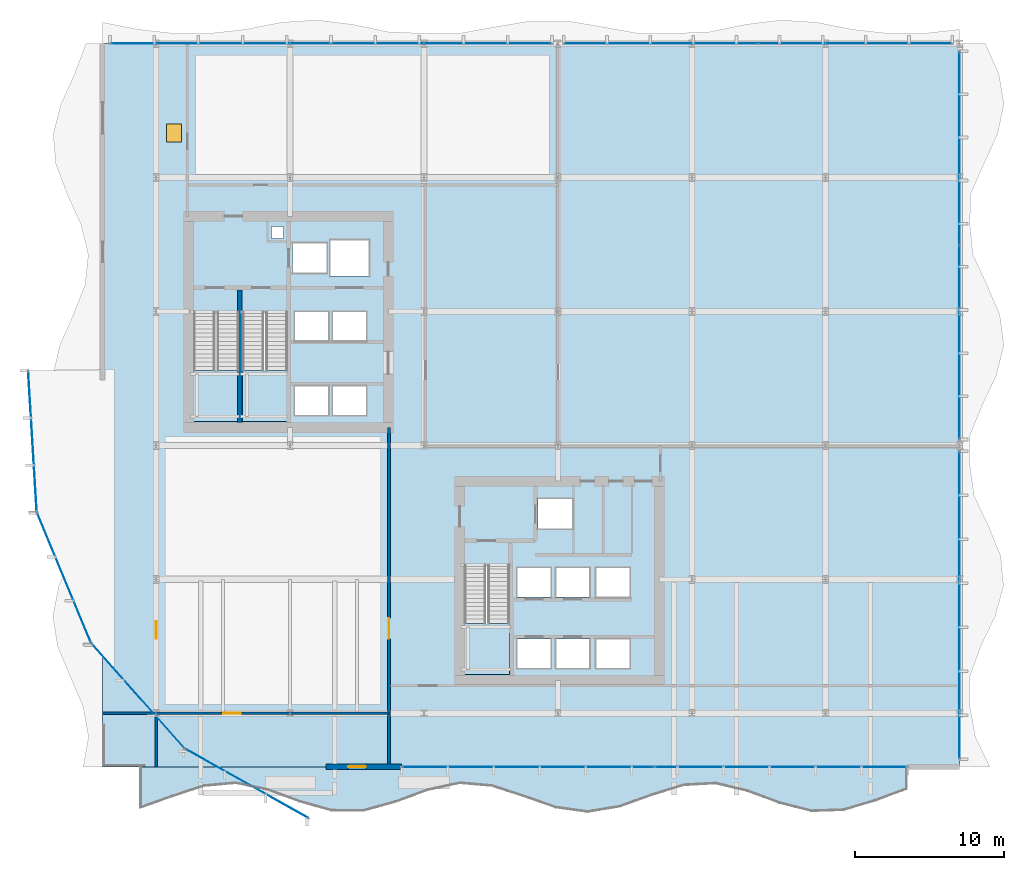
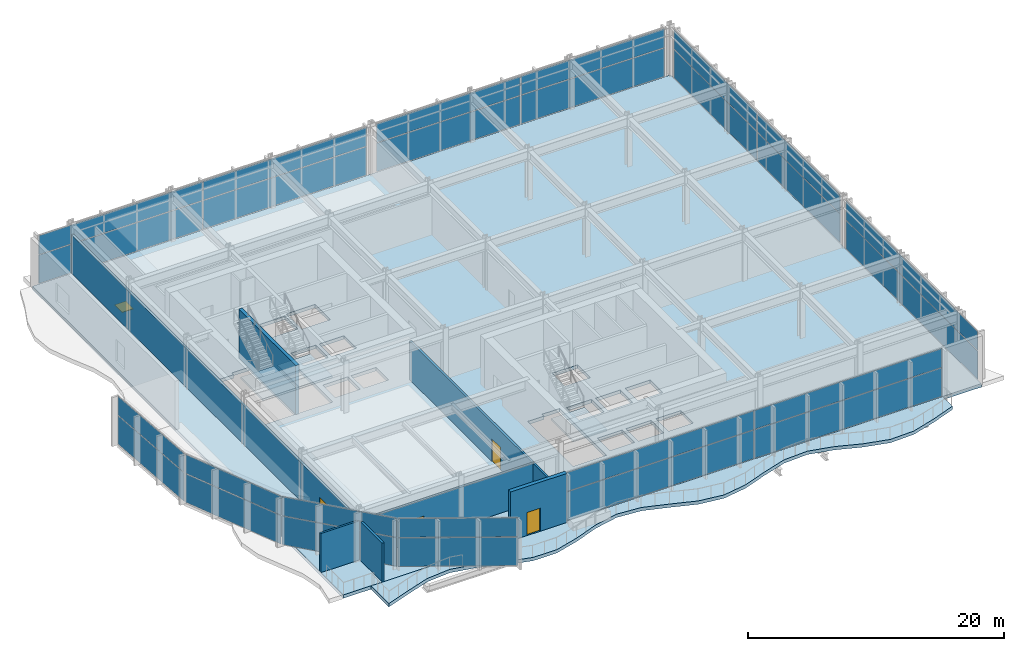
# One storey, part 19 of 28: 26 plates, 5 doors, 5 slabs, 5 walls, 5 openings, 12 elements without a shape of their own.
"""IFC4 building model written with IfcOpenShell, lengths in metres."""

from ifc_helpers import new_model, si_unit, direction, frame, frame_2d, origin, origin_2d, place, context, subcontext, project, spatial, polyline, rectangle, outline, extrude, material, layer, layer_set, type_object, element, fill, aggregate, save


model = new_model("IFC4")

# Units and contexts
model_context = context("Model", 3, precision=1e-05, world=origin(), true_north=direction((0.0, 1.0)))
body_context = subcontext(model_context, "Body", "Model", "MODEL_VIEW")
ifc_project = project(units=[si_unit("LENGTHUNIT", "METRE"), si_unit("AREAUNIT", "SQUARE_METRE"), si_unit("VOLUMEUNIT", "CUBIC_METRE"), si_unit("PLANEANGLEUNIT", "RADIAN"), si_unit("MASSUNIT", "GRAM", prefix="KILO")], contexts=[model_context])

# Site, building, storey
site_placement = place(None, origin())
site = spatial("IfcSite", under=ifc_project, at=site_placement, CompositionType="ELEMENT")
building_placement = place(site_placement, origin())
building = spatial("IfcBuilding", under=site, at=building_placement, Name="Solvaryn Broadcast Tower", CompositionType="ELEMENT")
storey_placement = place(building_placement, frame((0.0, 0.0, 16.199951171875)))
storey = spatial("IfcBuildingStorey", under=building, at=storey_placement, Name="L03", CompositionType="ELEMENT", Elevation=16.199951171875)

# Curtain wall, plates
ifc_material_1 = material(Name="Aluminium and Terracotta Unitised Curtain Wall", Category="masonry")
ifc_layer_1 = layer(ifc_material_1, 0.219970703125)
ifc_layer_set_1 = layer_set([ifc_layer_1], Name="CW-SYS1-PODIUM")
curtain_wall_type = type_object("IfcCurtainWallType", Name="CW-SYS1-PODIUM", PredefinedType="NOTDEFINED", material=ifc_layer_set_1)
curtain_wall_1_placement = place(storey_placement, origin())
curtain_wall_1 = element("IfcCurtainWall", 1, at=curtain_wall_1_placement, inside=storey, type_object=curtain_wall_type, Name="L03 Podium Curtain Wall S1", PredefinedType="NOTDEFINED")
ifc_material_2 = material(Name="Low-Iron Insulated Vision Glass", Category="glass")
ifc_layer_2 = layer(ifc_material_2, 0.035888671875)
ifc_layer_set_2 = layer_set([ifc_layer_2], Name="CW-PNL-VISION")
plate_type = type_object("IfcPlateType", Name="CW-PNL-VISION", PredefinedType="CURTAIN_PANEL", material=ifc_layer_set_2)
plate_1_placement = place(storey_placement, frame((50.985107421875, 5.39990234375, 0.06005859375), z_axis=(0.0, 0.0, 1.0), x_axis=(-1.0, 0.0, 0.0)))
plate_1 = element("IfcPlate", 2, at=plate_1_placement, type_object=plate_type, Name="CWS1 panel 1.1", PredefinedType="CURTAIN_PANEL", context=body_context, shape_type="SweptSolid", body=[
    extrude(rectangle(XDim=16.909912109375, YDim=0.028076171875, at=origin_2d()), origin(), (0.0, 0.0, 1.0), 2.7099609375),
])
plate_2_placement = place(storey_placement, frame((50.985107421875, 5.39990234375, 2.830078125), z_axis=(0.0, 0.0, 1.0), x_axis=(-1.0, 0.0, 0.0)))
plate_2 = element("IfcPlate", 3, at=plate_2_placement, type_object=plate_type, Name="CWS1 panel 1.2", PredefinedType="CURTAIN_PANEL", context=body_context, shape_type="SweptSolid", body=[
    extrude(rectangle(XDim=16.909912109375, YDim=0.028076171875, at=origin_2d()), origin(), (0.0, 0.0, 1.0), 1.7900390625),
])
plate_3_placement = place(storey_placement, frame((34.014892578125, 5.39990234375, 0.06005859375), z_axis=(0.0, 0.0, 1.0), x_axis=(-1.0, 0.0, 0.0)))
plate_3 = element("IfcPlate", 4, at=plate_3_placement, type_object=plate_type, Name="CWS1 panel 2.1", PredefinedType="CURTAIN_PANEL", context=body_context, shape_type="SweptSolid", body=[
    extrude(rectangle(XDim=16.909912109375, YDim=0.028076171875, at=origin_2d()), origin(), (0.0, 0.0, 1.0), 2.7099609375),
])
plate_4_placement = place(storey_placement, frame((34.014892578125, 5.39990234375, 2.830078125), z_axis=(0.0, 0.0, 1.0), x_axis=(-1.0, 0.0, 0.0)))
plate_4 = element("IfcPlate", 5, at=plate_4_placement, type_object=plate_type, Name="CWS1 panel 2.2", PredefinedType="CURTAIN_PANEL", context=body_context, shape_type="SweptSolid", body=[
    extrude(rectangle(XDim=16.909912109375, YDim=0.028076171875, at=origin_2d()), origin(), (0.0, 0.0, 1.0), 1.7900390625),
])
aggregate(curtain_wall_1, [plate_1, plate_2, plate_3, plate_4])

curtain_wall_2_placement = place(storey_placement, origin())
curtain_wall_2 = element("IfcCurtainWall", 6, at=curtain_wall_2_placement, inside=storey, type_object=curtain_wall_type, Name="L03 Podium Curtain Wall N1", PredefinedType="NOTDEFINED")
plate_5_placement = place(storey_placement, frame((13.340087890625, 54.0, 0.06005859375), z_axis=(0.0, 0.0, 1.0), x_axis=(1.0, 0.0, 0.0)))
plate_5 = element("IfcPlate", 7, at=plate_5_placement, type_object=plate_type, Name="CWS1 panel 1.1", PredefinedType="CURTAIN_PANEL", context=body_context, shape_type="SweptSolid", body=[
    extrude(rectangle(XDim=14.760009765625, YDim=0.028076171875, at=origin_2d()), origin(), (0.0, 0.0, 1.0), 2.7099609375),
])
plate_6_placement = place(storey_placement, frame((13.340087890625, 54.0, 2.830078125), z_axis=(0.0, 0.0, 1.0), x_axis=(1.0, 0.0, 0.0)))
plate_6 = element("IfcPlate", 8, at=plate_6_placement, type_object=plate_type, Name="CWS1 panel 1.2", PredefinedType="CURTAIN_PANEL", context=body_context, shape_type="SweptSolid", body=[
    extrude(rectangle(XDim=14.760009765625, YDim=0.028076171875, at=origin_2d()), origin(), (0.0, 0.0, 1.0), 1.7900390625),
])
plate_7_placement = place(storey_placement, frame((28.159912109375, 54.0, 0.06005859375), z_axis=(0.0, 0.0, 1.0), x_axis=(1.0, 0.0, 0.0)))
plate_7 = element("IfcPlate", 9, at=plate_7_placement, type_object=plate_type, Name="CWS1 panel 2.1", PredefinedType="CURTAIN_PANEL", context=body_context, shape_type="SweptSolid", body=[
    extrude(rectangle(XDim=14.760009765625, YDim=0.028076171875, at=origin_2d()), origin(), (0.0, 0.0, 1.0), 2.7099609375),
])
plate_8_placement = place(storey_placement, frame((28.159912109375, 54.0, 2.830078125), z_axis=(0.0, 0.0, 1.0), x_axis=(1.0, 0.0, 0.0)))
plate_8 = element("IfcPlate", 10, at=plate_8_placement, type_object=plate_type, Name="CWS1 panel 2.2", PredefinedType="CURTAIN_PANEL", context=body_context, shape_type="SweptSolid", body=[
    extrude(rectangle(XDim=14.760009765625, YDim=0.028076171875, at=origin_2d()), origin(), (0.0, 0.0, 1.0), 1.7900390625),
])
aggregate(curtain_wall_2, [plate_5, plate_6, plate_7, plate_8])

curtain_wall_3_placement = place(storey_placement, origin())
curtain_wall_3 = element("IfcCurtainWall", 11, at=curtain_wall_3_placement, inside=storey, type_object=curtain_wall_type, Name="L03 Podium Curtain Wall N2", PredefinedType="NOTDEFINED")
plate_9_placement = place(storey_placement, frame((42.93994140625, 54.0, 0.06005859375), z_axis=(0.0, 0.0, 1.0), x_axis=(1.0, 0.0, 0.0)))
plate_9 = element("IfcPlate", 12, at=plate_9_placement, type_object=plate_type, Name="CWS1 panel 1.1", PredefinedType="CURTAIN_PANEL", context=body_context, shape_type="SweptSolid", body=[
    extrude(rectangle(XDim=12.9599609375, YDim=0.028076171875, at=origin_2d()), origin(), (0.0, 0.0, 1.0), 2.7099609375),
])
plate_10_placement = place(storey_placement, frame((42.93994140625, 54.0, 2.830078125), z_axis=(0.0, 0.0, 1.0), x_axis=(1.0, 0.0, 0.0)))
plate_10 = element("IfcPlate", 13, at=plate_10_placement, type_object=plate_type, Name="CWS1 panel 1.2", PredefinedType="CURTAIN_PANEL", context=body_context, shape_type="SweptSolid", body=[
    extrude(rectangle(XDim=12.9599609375, YDim=0.028076171875, at=origin_2d()), origin(), (0.0, 0.0, 1.0), 1.7900390625),
])
plate_11_placement = place(storey_placement, frame((55.9599609375, 54.0, 0.06005859375), z_axis=(0.0, 0.0, 1.0), x_axis=(1.0, 0.0, 0.0)))
plate_11 = element("IfcPlate", 14, at=plate_11_placement, type_object=plate_type, Name="CWS1 panel 2.1", PredefinedType="CURTAIN_PANEL", context=body_context, shape_type="SweptSolid", body=[
    extrude(rectangle(XDim=12.9599609375, YDim=0.028076171875, at=origin_2d()), origin(), (0.0, 0.0, 1.0), 2.7099609375),
])
plate_12_placement = place(storey_placement, frame((55.9599609375, 54.0, 2.830078125), z_axis=(0.0, 0.0, 1.0), x_axis=(1.0, 0.0, 0.0)))
plate_12 = element("IfcPlate", 15, at=plate_12_placement, type_object=plate_type, Name="CWS1 panel 2.2", PredefinedType="CURTAIN_PANEL", context=body_context, shape_type="SweptSolid", body=[
    extrude(rectangle(XDim=12.9599609375, YDim=0.028076171875, at=origin_2d()), origin(), (0.0, 0.0, 1.0), 1.7900390625),
])
aggregate(curtain_wall_3, [plate_9, plate_10, plate_11, plate_12])

curtain_wall_4_placement = place(storey_placement, origin())
curtain_wall_4 = element("IfcCurtainWall", 16, at=curtain_wall_4_placement, inside=storey, type_object=curtain_wall_type, Name="L03 Podium Curtain Wall E1", PredefinedType="NOTDEFINED")
plate_13_placement = place(storey_placement, frame((63.0, 46.9599609375, 0.06005859375), z_axis=(0.0, 0.0, 1.0), x_axis=(0.0, -1.0, 0.0)))
plate_13 = element("IfcPlate", 17, at=plate_13_placement, type_object=plate_type, Name="CWS1 panel 1.1", PredefinedType="CURTAIN_PANEL", context=body_context, shape_type="SweptSolid", body=[
    extrude(rectangle(XDim=12.9599609375, YDim=0.028076171875, at=origin_2d()), origin(), (0.0, 0.0, 1.0), 2.7099609375),
])
plate_14_placement = place(storey_placement, frame((63.0, 46.9599609375, 2.830078125), z_axis=(0.0, 0.0, 1.0), x_axis=(0.0, -1.0, 0.0)))
plate_14 = element("IfcPlate", 18, at=plate_14_placement, type_object=plate_type, Name="CWS1 panel 1.2", PredefinedType="CURTAIN_PANEL", context=body_context, shape_type="SweptSolid", body=[
    extrude(rectangle(XDim=12.9599609375, YDim=0.028076171875, at=origin_2d()), origin(), (0.0, 0.0, 1.0), 1.7900390625),
])
plate_15_placement = place(storey_placement, frame((63.0, 33.93994140625, 0.06005859375), z_axis=(0.0, 0.0, 1.0), x_axis=(0.0, -1.0, 0.0)))
plate_15 = element("IfcPlate", 19, at=plate_15_placement, type_object=plate_type, Name="CWS1 panel 2.1", PredefinedType="CURTAIN_PANEL", context=body_context, shape_type="SweptSolid", body=[
    extrude(rectangle(XDim=12.9599609375, YDim=0.028076171875, at=origin_2d()), origin(), (0.0, 0.0, 1.0), 2.7099609375),
])
plate_16_placement = place(storey_placement, frame((63.0, 33.93994140625, 2.830078125), z_axis=(0.0, 0.0, 1.0), x_axis=(0.0, -1.0, 0.0)))
plate_16 = element("IfcPlate", 20, at=plate_16_placement, type_object=plate_type, Name="CWS1 panel 2.2", PredefinedType="CURTAIN_PANEL", context=body_context, shape_type="SweptSolid", body=[
    extrude(rectangle(XDim=12.9599609375, YDim=0.028076171875, at=origin_2d()), origin(), (0.0, 0.0, 1.0), 1.7900390625),
])
aggregate(curtain_wall_4, [plate_13, plate_14, plate_15, plate_16])

curtain_wall_5_placement = place(storey_placement, origin())
curtain_wall_5 = element("IfcCurtainWall", 21, at=curtain_wall_5_placement, inside=storey, type_object=curtain_wall_type, Name="L03 Podium Curtain Wall E2", PredefinedType="NOTDEFINED")
plate_17_placement = place(storey_placement, frame((63.0, 16.25, 0.06005859375), z_axis=(0.0, 0.0, 1.0), x_axis=(0.0, -1.0, 0.0)))
plate_17 = element("IfcPlate", 22, at=plate_17_placement, type_object=plate_type, Name="CWS1 panel 1.1", PredefinedType="CURTAIN_PANEL", context=body_context, shape_type="SweptSolid", body=[
    extrude(rectangle(XDim=20.580078125, YDim=0.028076171875, at=origin_2d()), origin(), (0.0, 0.0, 1.0), 2.7099609375),
])
plate_18_placement = place(storey_placement, frame((63.0, 16.25, 2.830078125), z_axis=(0.0, 0.0, 1.0), x_axis=(0.0, -1.0, 0.0)))
plate_18 = element("IfcPlate", 23, at=plate_18_placement, type_object=plate_type, Name="CWS1 panel 1.2", PredefinedType="CURTAIN_PANEL", context=body_context, shape_type="SweptSolid", body=[
    extrude(rectangle(XDim=20.580078125, YDim=0.028076171875, at=origin_2d()), origin(), (0.0, 0.0, 1.0), 1.7900390625),
])
aggregate(curtain_wall_5, [plate_17, plate_18])

curtain_wall_6_placement = place(storey_placement, origin())
curtain_wall_6 = element("IfcCurtainWall", 24, at=curtain_wall_6_placement, inside=storey, type_object=curtain_wall_type, Name="L03 Podium Curtain Wall DC1", PredefinedType="NOTDEFINED")
plate_19_placement = place(storey_placement, frame((0.689453125, 27.277099609375, 0.06005859375), z_axis=(0.0, 0.0, 1.0), x_axis=(0.06079623026, -0.99815019831, 0.0)))
plate_19 = element("IfcPlate", 25, at=plate_19_placement, type_object=plate_type, Name="CWS1 panel 1.1", PredefinedType="CURTAIN_PANEL", context=body_context, shape_type="SweptSolid", body=[
    extrude(rectangle(XDim=9.403564453125, YDim=0.028076171875, at=origin_2d()), origin(), (0.0, 0.0, 1.0), 2.7099609375),
])
plate_20_placement = place(storey_placement, frame((0.689453125, 27.277099609375, 2.830078125), z_axis=(0.0, 0.0, 1.0), x_axis=(0.06079623026, -0.99815019831, 0.0)))
plate_20 = element("IfcPlate", 26, at=plate_20_placement, type_object=plate_type, Name="CWS1 panel 1.2", PredefinedType="CURTAIN_PANEL", context=body_context, shape_type="SweptSolid", body=[
    extrude(rectangle(XDim=9.403564453125, YDim=0.028076171875, at=origin_2d()), origin(), (0.0, 0.0, 1.0), 1.7900390625),
])
aggregate(curtain_wall_6, [plate_19, plate_20])

curtain_wall_7_placement = place(storey_placement, origin())
curtain_wall_7 = element("IfcCurtainWall", 27, at=curtain_wall_7_placement, inside=storey, type_object=curtain_wall_type, Name="L03 Podium Curtain Wall DC2", PredefinedType="NOTDEFINED")
plate_21_placement = place(storey_placement, frame((2.804443359375, 18.12646484375, 0.06005859375), z_axis=(0.0, 0.0, 1.0), x_axis=(0.383399643414, -0.923582542835, 0.0)))
plate_21 = element("IfcPlate", 28, at=plate_21_placement, type_object=plate_type, Name="CWS1 panel 1.1", PredefinedType="CURTAIN_PANEL", context=body_context, shape_type="SweptSolid", body=[
    extrude(rectangle(XDim=9.402587890625, YDim=0.028076171875, at=origin_2d()), origin(), (0.0, 0.0, 1.0), 2.7099609375),
])
plate_22_placement = place(storey_placement, frame((2.804443359375, 18.12646484375, 2.830078125), z_axis=(0.0, 0.0, 1.0), x_axis=(0.383399643414, -0.923582542835, 0.0)))
plate_22 = element("IfcPlate", 29, at=plate_22_placement, type_object=plate_type, Name="CWS1 panel 1.2", PredefinedType="CURTAIN_PANEL", context=body_context, shape_type="SweptSolid", body=[
    extrude(rectangle(XDim=9.402587890625, YDim=0.028076171875, at=origin_2d()), origin(), (0.0, 0.0, 1.0), 1.7900390625),
])
aggregate(curtain_wall_7, [plate_21, plate_22])

curtain_wall_8_placement = place(storey_placement, origin())
curtain_wall_8 = element("IfcCurtainWall", 30, at=curtain_wall_8_placement, inside=storey, type_object=curtain_wall_type, Name="L03 Podium Curtain Wall DC3", PredefinedType="NOTDEFINED")
plate_23_placement = place(storey_placement, frame((7.79150390625, 10.16796875, 0.06005859375), z_axis=(0.0, 0.0, 1.0), x_axis=(0.663914029579, -0.74780890696, 0.0)))
plate_23 = element("IfcPlate", 31, at=plate_23_placement, type_object=plate_type, Name="CWS1 panel 1.1", PredefinedType="CURTAIN_PANEL", context=body_context, shape_type="SweptSolid", body=[
    extrude(rectangle(XDim=9.40380859375, YDim=0.028076171875, at=origin_2d()), origin(), (0.0, 0.0, 1.0), 2.7099609375),
])
plate_24_placement = place(storey_placement, frame((7.79150390625, 10.16796875, 2.830078125), z_axis=(0.0, 0.0, 1.0), x_axis=(0.663914029579, -0.74780890696, 0.0)))
plate_24 = element("IfcPlate", 32, at=plate_24_placement, type_object=plate_type, Name="CWS1 panel 1.2", PredefinedType="CURTAIN_PANEL", context=body_context, shape_type="SweptSolid", body=[
    extrude(rectangle(XDim=9.40380859375, YDim=0.028076171875, at=origin_2d()), origin(), (0.0, 0.0, 1.0), 1.7900390625),
])
aggregate(curtain_wall_8, [plate_23, plate_24])

curtain_wall_9_placement = place(storey_placement, origin())
curtain_wall_9 = element("IfcCurtainWall", 33, at=curtain_wall_9_placement, inside=storey, type_object=curtain_wall_type, Name="L03 Podium Curtain Wall DC4", PredefinedType="NOTDEFINED")
plate_25_placement = place(storey_placement, frame((15.103515625, 4.2744140625, 0.06005859375), z_axis=(0.0, 0.0, 1.0), x_axis=(0.871768992276, -0.489917160453, 0.0)))
plate_25 = element("IfcPlate", 34, at=plate_25_placement, type_object=plate_type, Name="CWS1 panel 1.1", PredefinedType="CURTAIN_PANEL", context=body_context, shape_type="SweptSolid", body=[
    extrude(rectangle(XDim=9.402099609375, YDim=0.028076171875, at=origin_2d()), origin(), (0.0, 0.0, 1.0), 2.7099609375),
])
plate_26_placement = place(storey_placement, frame((15.103515625, 4.2744140625, 2.830078125), z_axis=(0.0, 0.0, 1.0), x_axis=(0.871768992276, -0.489917160453, 0.0)))
plate_26 = element("IfcPlate", 35, at=plate_26_placement, type_object=plate_type, Name="CWS1 panel 1.2", PredefinedType="CURTAIN_PANEL", context=body_context, shape_type="SweptSolid", body=[
    extrude(rectangle(XDim=9.402099609375, YDim=0.028076171875, at=origin_2d()), origin(), (0.0, 0.0, 1.0), 1.7900390625),
])
aggregate(curtain_wall_9, [plate_25, plate_26])

# Stair, slab
ifc_material_3 = material(Name="Concrete f'c 60 MPa", Category="concrete")
stair_type = type_object("IfcStairType", Name="ST-CORE", PredefinedType="HALF_TURN_STAIR", material=ifc_material_3)
stair_1_placement = place(storey_placement, origin())
stair_1 = element("IfcStair", 36, at=stair_1_placement, inside=storey, type_object=stair_type, Name="L03 ST1", PredefinedType="HALF_TURN_STAIR")
ifc_material_4 = material(Name="Concrete f'c 60 MPa", Category="concrete")
ifc_layer_3 = layer(ifc_material_4, 0.199951171875)
ifc_layer_set_3 = layer_set([ifc_layer_3], Name="SL-LANDING-200")
slab_type_1 = type_object("IfcSlabType", Name="SL-LANDING-200", PredefinedType="LANDING", material=ifc_layer_set_3)
slab_1_placement = place(storey_placement, frame((0.0, 0.0, 2.300048828125)))
slab_1 = element("IfcSlab", 37, at=slab_1_placement, type_object=slab_type_1, Name="ST1 landing 1", PredefinedType="LANDING", context=body_context, shape_type="SweptSolid", body=[
    extrude(outline(polyline([(11.52001953125, 32.0400390625), (11.52001953125, 28.60009765625), (14.550048828125, 28.60009765625), (14.550048828125, 32.0400390625), (11.52001953125, 32.0400390625)])), origin(), (0.0, 0.0, 1.0), 0.199951171875),
])
aggregate(stair_1, [slab_1])

stair_2_placement = place(storey_placement, origin())
stair_2 = element("IfcStair", 38, at=stair_2_placement, inside=storey, type_object=stair_type, Name="L03 ST2", PredefinedType="HALF_TURN_STAIR")
slab_2_placement = place(storey_placement, frame((0.0, 0.0, 2.300048828125)))
slab_2 = element("IfcSlab", 39, at=slab_2_placement, type_object=slab_type_1, Name="ST2 landing 1", PredefinedType="LANDING", context=body_context, shape_type="SweptSolid", body=[
    extrude(outline(polyline([(14.800048828125, 32.0400390625), (14.800048828125, 28.60009765625), (17.830078125, 28.60009765625), (17.830078125, 32.0400390625), (14.800048828125, 32.0400390625)])), origin(), (0.0, 0.0, 1.0), 0.199951171875),
])
aggregate(stair_2, [slab_2])

stair_3_placement = place(storey_placement, origin())
stair_3 = element("IfcStair", 40, at=stair_3_placement, inside=storey, type_object=stair_type, Name="L03 ST3", PredefinedType="HALF_TURN_STAIR")
slab_3_placement = place(storey_placement, frame((0.0, 0.0, 2.300048828125)))
slab_3 = element("IfcSlab", 41, at=slab_3_placement, type_object=slab_type_1, Name="ST3 landing 1", PredefinedType="LANDING", context=body_context, shape_type="SweptSolid", body=[
    extrude(outline(polyline([(29.719970703125, 15.0400390625), (29.719970703125, 11.60009765625), (32.75, 11.60009765625), (32.75, 15.0400390625), (29.719970703125, 15.0400390625)])), origin(), (0.0, 0.0, 1.0), 0.199951171875),
])
aggregate(stair_3, [slab_3])

# Slab, opening, door
ifc_material_5 = material(Name="Concrete f'c 60 MPa", Category="concrete")
ifc_layer_4 = layer(ifc_material_5, 0.320068359375)
ifc_layer_set_4 = layer_set([ifc_layer_4], Name="SL-POD-320")
slab_type_2 = type_object("IfcSlabType", Name="SL-POD-320", PredefinedType="FLOOR", material=ifc_layer_set_4)
slab_4_placement = place(storey_placement, frame((0.0, 0.0, -0.320068359375)))
slab_4 = element("IfcSlab", 42, at=slab_4_placement, inside=storey, type_object=slab_type_2, Name="L03 Structural Floor Slab", PredefinedType="FLOOR", context=body_context, shape_type="SweptSolid", body=[
    extrude(outline(polyline([(5.39990234375, 5.39990234375), (63.0, 5.39990234375), (63.0, 54.0), (5.39990234375, 54.0), (5.39990234375, 5.39990234375)]), holes=[polyline([(11.52001953125, 28.60009765625), (14.550048828125, 28.60009765625), (14.550048828125, 35.9599609375), (12.97998046875, 35.9599609375), (12.97998046875, 35.679931640625), (11.52001953125, 35.679931640625), (11.52001953125, 28.60009765625)]), polyline([(14.800048828125, 28.60009765625), (17.830078125, 28.60009765625), (17.830078125, 35.9599609375), (16.260009765625, 35.9599609375), (16.260009765625, 35.679931640625), (14.800048828125, 35.679931640625), (14.800048828125, 28.60009765625)]), polyline([(29.719970703125, 11.60009765625), (32.75, 11.60009765625), (32.75, 18.9599609375), (31.179931640625, 18.9599609375), (31.179931640625, 18.679931640625), (29.719970703125, 18.679931640625), (29.719970703125, 11.60009765625)]), polyline([(18.14990234375, 38.60009765625), (20.449951171875, 38.60009765625), (20.449951171875, 40.60009765625), (18.14990234375, 40.60009765625), (18.14990234375, 38.60009765625)]), polyline([(20.699951171875, 38.39990234375), (23.300048828125, 38.39990234375), (23.300048828125, 40.800048828125), (20.699951171875, 40.800048828125), (20.699951171875, 38.39990234375)]), polyline([(18.324951171875, 29.02490234375), (20.574951171875, 29.02490234375), (20.574951171875, 30.97509765625), (18.324951171875, 30.97509765625), (18.324951171875, 29.02490234375)]), polyline([(20.875, 29.02490234375), (23.125, 29.02490234375), (23.125, 30.97509765625), (20.875, 30.97509765625), (20.875, 29.02490234375)]), polyline([(18.324951171875, 34.02490234375), (20.574951171875, 34.02490234375), (20.574951171875, 35.97509765625), (18.324951171875, 35.97509765625), (18.324951171875, 34.02490234375)]), polyline([(20.875, 34.02490234375), (23.125, 34.02490234375), (23.125, 35.97509765625), (20.875, 35.97509765625), (20.875, 34.02490234375)]), polyline([(34.64990234375, 21.39990234375), (36.949951171875, 21.39990234375), (36.949951171875, 23.39990234375), (34.64990234375, 23.39990234375), (34.64990234375, 21.39990234375)]), polyline([(33.27490234375, 12.02490234375), (35.52490234375, 12.02490234375), (35.52490234375, 13.97509765625), (33.27490234375, 13.97509765625), (33.27490234375, 12.02490234375)]), polyline([(35.875, 12.02490234375), (38.125, 12.02490234375), (38.125, 13.97509765625), (35.875, 13.97509765625), (35.875, 12.02490234375)]), polyline([(33.27490234375, 16.824951171875), (35.52490234375, 16.824951171875), (35.52490234375, 18.77490234375), (33.27490234375, 18.77490234375), (33.27490234375, 16.824951171875)]), polyline([(35.875, 16.824951171875), (38.125, 16.824951171875), (38.125, 18.77490234375), (35.875, 18.77490234375), (35.875, 16.824951171875)]), polyline([(38.574951171875, 12.02490234375), (40.824951171875, 12.02490234375), (40.824951171875, 13.97509765625), (38.574951171875, 13.97509765625), (38.574951171875, 12.02490234375)]), polyline([(38.574951171875, 16.824951171875), (40.824951171875, 16.824951171875), (40.824951171875, 18.77490234375), (38.574951171875, 18.77490234375), (38.574951171875, 16.824951171875)]), polyline([(16.75, 40.89990234375), (17.550048828125, 40.89990234375), (17.550048828125, 41.699951171875), (16.75, 41.699951171875), (16.75, 40.89990234375)])]), origin(), (0.0, 0.0, 1.0), 0.320068359375),
])
opening_1_placement = place(slab_4_placement, frame((10.199951171875, 48.0, 0.0)))
opening_1 = element("IfcOpeningElement", 43, at=opening_1_placement, cuts=slab_4, Name="Opening HT01", PredefinedType="OPENING", context=body_context, shape_type="SweptSolid", body=[
    extrude(rectangle(XDim=1.0, YDim=1.199951171875, at=origin_2d()), origin(), (0.0, 0.0, 1.0), 0.320068359375),
])
ifc_material_6 = material(Name="Insulated Architectural Aluminium and Glazing", Category="aluminium")
door_type_1 = type_object("IfcDoorType", Name="ED-HATCH-1000X1200", OperationType="NOTDEFINED", PredefinedType="TRAPDOOR", material=ifc_material_6)
door_1_placement = place(opening_1_placement, frame((0.0, 0.0, 0.27001953125)))
door_1 = element("IfcDoor", 44, at=door_1_placement, inside=storey, type_object=door_type_1, Name="L03 Acoustic Plenum Access Trapdoor", OperationType="SINGLE_SWING_LEFT", OverallHeight=1.199951171875, OverallWidth=1.0, PredefinedType="TRAPDOOR", context=body_context, shape_type="SweptSolid", body=[
    extrude(rectangle(XDim=1.0, YDim=1.199951171875, at=origin_2d()), origin(), (0.0, 0.0, 1.0), 0.050048828125),
])
fill(opening_1, door_1)

# Slab
ifc_material_7 = material(Name="Concrete f'c 60 MPa", Category="concrete")
ifc_layer_5 = layer(ifc_material_7, 0.260009765625)
ifc_layer_set_5 = layer_set([ifc_layer_5], Name="SL-TER-260")
slab_type_3 = type_object("IfcSlabType", Name="SL-TER-260", PredefinedType="FLOOR", material=ifc_layer_set_5)
slab_5_placement = place(storey_placement, frame((0.0, 0.0, -0.320068359375)))
element("IfcSlab", 45, at=slab_5_placement, inside=storey, type_object=slab_type_3, Name="L03 Wave-Edged Terrace Slab TS03S", PredefinedType="FLOOR", context=body_context, shape_type="SweptSolid", body=[
    extrude(outline(polyline([(7.89990234375, 2.611083984375), (10.050048828125, 3.35693359375), (12.199951171875, 4.06591796875), (14.35009765625, 4.260009765625), (16.5, 3.80908203125), (18.64990234375, 3.01708984375), (20.800048828125, 2.4150390625), (22.949951171875, 2.406982421875), (25.10009765625, 2.9990234375), (27.25, 3.79296875), (29.39990234375, 4.256103515625), (31.550048828125, 4.076904296875), (33.699951171875, 3.3759765625), (35.85009765625, 2.6240234375), (38.0, 2.325927734375), (40.14990234375, 2.680908203125), (42.300048828125, 3.452880859375), (44.449951171875, 4.12109375), (46.60009765625, 4.238037109375), (48.75, 3.72509765625), (50.89990234375, 2.927001953125), (53.050048828125, 2.37890625), (55.199951171875, 2.448974609375), (57.35009765625, 3.091064453125), (59.5, 3.873046875), (59.5, 5.39990234375), (57.35009765625, 5.39990234375), (55.199951171875, 5.39990234375), (53.050048828125, 5.39990234375), (50.89990234375, 5.39990234375), (48.75, 5.39990234375), (46.60009765625, 5.39990234375), (44.449951171875, 5.39990234375), (42.300048828125, 5.39990234375), (40.14990234375, 5.39990234375), (38.0, 5.39990234375), (35.85009765625, 5.39990234375), (33.699951171875, 5.39990234375), (31.550048828125, 5.39990234375), (29.39990234375, 5.39990234375), (27.25, 5.39990234375), (25.10009765625, 5.39990234375), (22.949951171875, 5.39990234375), (20.800048828125, 5.39990234375), (18.64990234375, 5.39990234375), (16.5, 5.39990234375), (14.35009765625, 5.39990234375), (12.199951171875, 5.39990234375), (10.050048828125, 5.39990234375), (7.89990234375, 5.39990234375), (7.89990234375, 2.611083984375)])), origin(), (0.0, 0.0, 1.0), 0.320068359375),
])

# Wall, opening, door
ifc_material_8 = material(Name="Concrete f'c 50 MPa", Category="concrete")
ifc_layer_6 = layer(ifc_material_8, 0.35009765625)
ifc_layer_set_6 = layer_set([ifc_layer_6], Name="EW-STUDIO-350")
wall_type_1 = type_object("IfcWallType", Name="EW-STUDIO-350", PredefinedType="SOLIDWALL", material=ifc_layer_set_6)
wall_1_placement = place(storey_placement, frame((25.5, 5.39990234375, 0.0), z_axis=(0.0, 0.0, 1.0), x_axis=(-1.0, 0.0, 0.0)))
wall_1 = element("IfcWall", 46, at=wall_1_placement, inside=storey, type_object=wall_type_1, Name="L03 Podium South Studio Pier Wall", PredefinedType="SOLIDWALL", context=body_context, shape_type="SweptSolid", body=[
    extrude(rectangle(XDim=5.10009765625, YDim=0.35009765625, at=frame_2d((2.550048828125, 0.0))), origin(), (0.0, 0.0, 1.0), 4.679931640625),
])
opening_2_placement = place(wall_1_placement, frame((2.39990234375, 0.0, 0.0)))
opening_2 = element("IfcOpeningElement", 47, at=opening_2_placement, cuts=wall_1, Name="Opening EDT03", PredefinedType="OPENING", context=body_context, shape_type="SweptSolid", body=[
    extrude(rectangle(XDim=1.199951171875, YDim=2.199951171875, at=frame_2d((0.60009765625, 1.10009765625))), frame((0.0, 0.18505859375, 0.0), z_axis=(0.0, -1.0, 0.0), x_axis=(1.0, 0.0, 0.0)), (0.0, 0.0, 1.0), 0.3701171875),
])
ifc_material_9 = material(Name="Insulated Architectural Aluminium and Glazing", Category="aluminium")
door_type_2 = type_object("IfcDoorType", Name="ED-TER-1200X2200", OperationType="NOTDEFINED", PredefinedType="DOOR", material=ifc_material_9)
door_2_placement = place(opening_2_placement, origin())
door_2 = element("IfcDoor", 48, at=door_2_placement, inside=storey, type_object=door_type_2, Name="L03 South Cascading Terrace Door", OperationType="SINGLE_SWING_RIGHT", OverallHeight=2.199951171875, OverallWidth=1.199951171875, PredefinedType="DOOR", context=body_context, shape_type="SweptSolid", body=[
    extrude(rectangle(XDim=1.199951171875, YDim=2.199951171875, at=frame_2d((0.60009765625, 1.10009765625))), frame((0.0, 0.02490234375, 0.0), z_axis=(0.0, -1.0, 0.0), x_axis=(1.0, 0.0, 0.0)), (0.0, 0.0, 1.0), 0.050048828125),
])
fill(opening_2, door_2)

ifc_material_10 = material(Name="Acoustic Metal-Stud Gypsum Partition")
ifc_layer_7 = layer(ifc_material_10, 0.179931640625)
ifc_layer_set_7 = layer_set([ifc_layer_7], Name="IW-PART-180")
wall_type_2 = type_object("IfcWallType", Name="IW-PART-180", PredefinedType="PARTITIONING", material=ifc_layer_set_7)
wall_2_placement = place(storey_placement, frame((24.64990234375, 5.39990234375, 0.0), z_axis=(0.0, 0.0, 1.0), x_axis=(0.0, 1.0, 0.0)))
wall_2 = element("IfcWall", 49, at=wall_2_placement, inside=storey, type_object=wall_type_2, Name="L03 Interior Partition IW-L03-PW1", PredefinedType="PARTITIONING", context=body_context, shape_type="SweptSolid", body=[
    extrude(rectangle(XDim=22.800048828125, YDim=0.179931640625, at=frame_2d((11.39990234375, 0.0))), origin(), (0.0, 0.0, 1.0), 3.712158203125),
])
opening_3_placement = place(wall_2_placement, frame((8.60009765625, 0.0, 0.0)))
opening_3 = element("IfcOpeningElement", 50, at=opening_3_placement, cuts=wall_2, Name="Opening ID05", PredefinedType="OPENING", context=body_context, shape_type="SweptSolid", body=[
    extrude(rectangle(XDim=1.39990234375, YDim=2.14990234375, at=frame_2d((0.699951171875, 1.074951171875))), frame((0.0, 0.099853515625, 0.0), z_axis=(0.0, -1.0, 0.0), x_axis=(1.0, 0.0, 0.0)), (0.0, 0.0, 1.0), 0.199951171875),
])
ifc_material_11 = material(Name="Flush Acoustic Steel and Timber Door Assembly", Category="steel")
door_type_3 = type_object("IfcDoorType", Name="ID-05-1400X2150", OperationType="NOTDEFINED", PredefinedType="DOOR", material=ifc_material_11)
door_3_placement = place(opening_3_placement, origin())
door_3 = element("IfcDoor", 51, at=door_3_placement, inside=storey, type_object=door_type_3, Name="L03 Door DR-L03-PD1", OperationType="DOUBLE_DOOR_SINGLE_SWING", OverallHeight=2.14990234375, OverallWidth=1.39990234375, PredefinedType="DOOR", context=body_context, shape_type="SweptSolid", body=[
    extrude(rectangle(XDim=1.39990234375, YDim=2.14990234375, at=frame_2d((0.699951171875, 1.074951171875))), frame((0.0, 0.02490234375, 0.0), z_axis=(0.0, -1.0, 0.0), x_axis=(1.0, 0.0, 0.0)), (0.0, 0.0, 1.0), 0.050048828125),
])
fill(opening_3, door_3)

wall_3_placement = place(storey_placement, frame((9.0, 5.39990234375, 0.0), z_axis=(0.0, 0.0, 1.0), x_axis=(0.0, 1.0, 0.0)))
wall_3 = element("IfcWall", 52, at=wall_3_placement, inside=storey, type_object=wall_type_2, Name="L03 Interior Partition IW-L03-PWW", PredefinedType="PARTITIONING", context=body_context, shape_type="SweptSolid", body=[
    extrude(rectangle(XDim=48.60009765625, YDim=0.179931640625, at=frame_2d((24.300048828125, 0.0))), origin(), (0.0, 0.0, 1.0), 3.712158203125),
])
opening_4_placement = place(wall_3_placement, frame((8.60009765625, 0.0, 0.0)))
opening_4 = element("IfcOpeningElement", 53, at=opening_4_placement, cuts=wall_3, Name="Opening ID04", PredefinedType="OPENING", context=body_context, shape_type="SweptSolid", body=[
    extrude(rectangle(XDim=1.199951171875, YDim=2.14990234375, at=frame_2d((0.60009765625, 1.074951171875))), frame((0.0, 0.099853515625, 0.0), z_axis=(0.0, -1.0, 0.0), x_axis=(1.0, 0.0, 0.0)), (0.0, 0.0, 1.0), 0.199951171875),
])
ifc_material_12 = material(Name="Flush Acoustic Steel and Timber Door Assembly", Category="steel")
door_type_4 = type_object("IfcDoorType", Name="ID-04-1200X2150", OperationType="NOTDEFINED", PredefinedType="DOOR", material=ifc_material_12)
door_4_placement = place(opening_4_placement, origin())
door_4 = element("IfcDoor", 54, at=door_4_placement, inside=storey, type_object=door_type_4, Name="L03 Door DR-L03-PDW", OperationType="SINGLE_SWING_LEFT", OverallHeight=2.14990234375, OverallWidth=1.199951171875, PredefinedType="DOOR", context=body_context, shape_type="SweptSolid", body=[
    extrude(rectangle(XDim=1.199951171875, YDim=2.14990234375, at=frame_2d((0.60009765625, 1.074951171875))), frame((0.0, 0.02490234375, 0.0), z_axis=(0.0, -1.0, 0.0), x_axis=(1.0, 0.0, 0.0)), (0.0, 0.0, 1.0), 0.050048828125),
])
fill(opening_4, door_4)

wall_4_placement = place(storey_placement, frame((5.39990234375, 9.0, 0.0), z_axis=(0.0, 0.0, 1.0), x_axis=(1.0, 0.0, 0.0)))
wall_4 = element("IfcWall", 55, at=wall_4_placement, inside=storey, type_object=wall_type_2, Name="L03 Interior Partition IW-L03-PWS", PredefinedType="PARTITIONING", context=body_context, shape_type="SweptSolid", body=[
    extrude(rectangle(XDim=19.25, YDim=0.179931640625, at=frame_2d((9.625, 0.0))), origin(), (0.0, 0.0, 1.0), 3.733154296875),
])
opening_5_placement = place(wall_4_placement, frame((8.10009765625, 0.0, 0.0)))
opening_5 = element("IfcOpeningElement", 56, at=opening_5_placement, cuts=wall_4, Name="Opening ID04", PredefinedType="OPENING", context=body_context, shape_type="SweptSolid", body=[
    extrude(rectangle(XDim=1.199951171875, YDim=2.14990234375, at=frame_2d((0.60009765625, 1.074951171875))), frame((0.0, 0.099853515625, 0.0), z_axis=(0.0, -1.0, 0.0), x_axis=(1.0, 0.0, 0.0)), (0.0, 0.0, 1.0), 0.199951171875),
])
door_5_placement = place(opening_5_placement, origin())
door_5 = element("IfcDoor", 57, at=door_5_placement, inside=storey, type_object=door_type_4, Name="L03 Door DR-L03-PDS", OperationType="SINGLE_SWING_LEFT", OverallHeight=2.14990234375, OverallWidth=1.199951171875, PredefinedType="DOOR", context=body_context, shape_type="SweptSolid", body=[
    extrude(rectangle(XDim=1.199951171875, YDim=2.14990234375, at=frame_2d((0.60009765625, 1.074951171875))), frame((0.0, 0.02490234375, 0.0), z_axis=(0.0, -1.0, 0.0), x_axis=(1.0, 0.0, 0.0)), (0.0, 0.0, 1.0), 0.050048828125),
])
fill(opening_5, door_5)

# Wall
ifc_material_13 = material(Name="Concrete f'c 70 MPa", Category="concrete")
ifc_layer_8 = layer(ifc_material_13, 0.300048828125)
ifc_layer_set_8 = layer_set([ifc_layer_8], Name="SW-SHAFT-300")
wall_type_3 = type_object("IfcWallType", Name="SW-SHAFT-300", PredefinedType="SHEAR", material=ifc_layer_set_8)
wall_5_placement = place(storey_placement, frame((14.6201171875, 28.550048828125, 0.0), z_axis=(0.0, 0.0, 1.0), x_axis=(0.0, 1.0, 0.0)))
element("IfcWall", 58, at=wall_5_placement, inside=storey, type_object=wall_type_3, Name="L03 Stair 1-2 Dividing Wall", PredefinedType="SHEAR", context=body_context, shape_type="SweptSolid", body=[
    extrude(rectangle(XDim=8.89990234375, YDim=0.300048828125, at=frame_2d((4.449951171875, 0.0))), origin(), (0.0, 0.0, 1.0), 4.679931640625),
])

save(model, "model.ifc")
